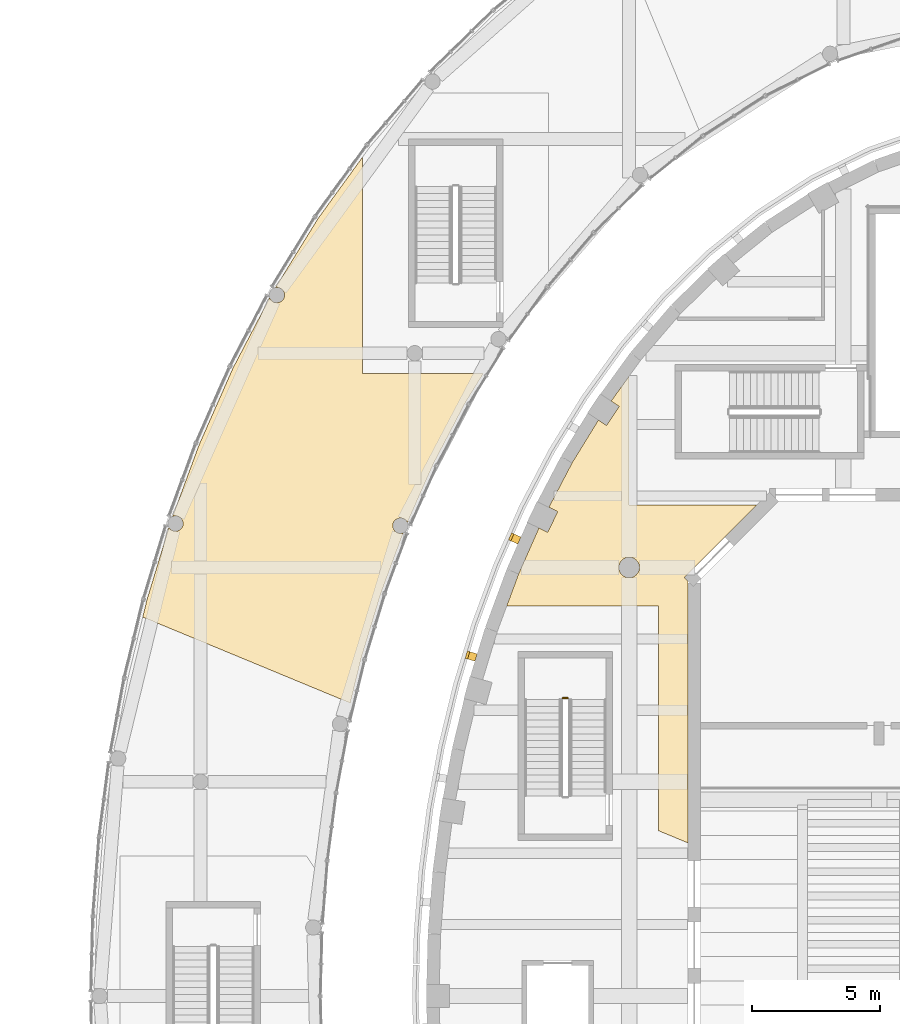
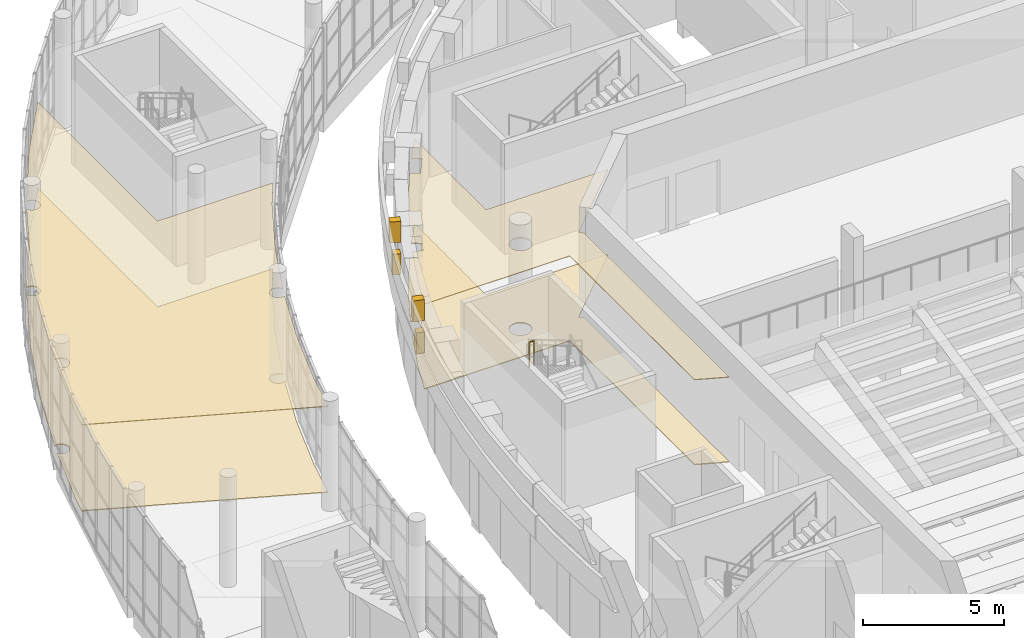
# One storey, part 107 of 119: 8 coverings, 1 railing.
"""IFC4 building model written with IfcOpenShell, lengths in metres."""

from ifc_helpers import new_model, si_unit, direction, frame, origin, origin_2d, place, context, subcontext, project, spatial, polyline, rectangle, circle, outline, extrude, material, layer, layer_set, type_object, element, save


model = new_model("IFC4")

# Units and contexts
model_context = context("Model", 3, precision=1e-05, world=origin(), true_north=direction((0.0, 1.0)))
body_context = subcontext(model_context, "Body", "Model", "MODEL_VIEW")
ifc_project = project(units=[si_unit("LENGTHUNIT", "METRE"), si_unit("AREAUNIT", "SQUARE_METRE"), si_unit("VOLUMEUNIT", "CUBIC_METRE"), si_unit("PLANEANGLEUNIT", "RADIAN"), si_unit("MASSUNIT", "GRAM", prefix="KILO")], contexts=[model_context])

# Site, building, storey
site_placement = place(None, origin())
site = spatial("IfcSite", under=ifc_project, at=site_placement, CompositionType="ELEMENT")
building_placement = place(site_placement, origin())
building = spatial("IfcBuilding", under=site, at=building_placement, Name="Larchfold Concert Hall", CompositionType="ELEMENT")
storey_placement = place(building_placement, frame((0.0, 0.0, 4.800048828125)))
storey = spatial("IfcBuildingStorey", under=building, at=storey_placement, Name="L01", CompositionType="ELEMENT", Elevation=4.800048828125)

# Coverings
ifc_material_1 = material(Name="Plasterboard ceiling lining")
ifc_layer_1 = layer(ifc_material_1, 0.030029296875)
ifc_layer_set_1 = layer_set([ifc_layer_1], Name="Plasterboard ceiling lining")
covering_type_1 = type_object("IfcCoveringType", Name="Ceiling suspended plasterboard 30", PredefinedType="CEILING", material=ifc_layer_set_1)
covering_1_placement = place(storey_placement, frame((0.0, 0.0, 3.669921875)))
element("IfcCovering", 1, at=covering_1_placement, inside=storey, type_object=covering_type_1, Name="Ceiling Hall Foyer North West", PredefinedType="CEILING", context=body_context, shape_type="SweptSolid", body=[
    extrude(outline(polyline([(26.949951171875, 99.900146484375), (26.949951171875, 91.08251953125), (28.10009765625, 90.60595703125), (28.10009765625, 100.878662109375), (27.962646484375, 101.01611328125), (30.79638671875, 103.849853515625), (25.800048828125, 103.849853515625), (25.800048828125, 108.898681640625), (25.09423828125, 107.924560546875), (25.412353515625, 107.712158203125), (24.912841796875, 106.963623046875), (24.59423828125, 107.17626953125), (23.564208984375, 105.502685546875), (22.653564453125, 103.759765625), (23.000244140625, 103.59326171875), (22.6103515625, 102.781982421875), (22.262939453125, 102.948974609375), (21.468017578125, 101.149169921875), (21.00634765625, 99.900146484375), (26.949951171875, 99.900146484375)]), holes=[polyline([(25.60009765625, 101.053466796875), (25.556640625, 101.08251953125), (25.51708984375, 101.116943359375), (25.482666015625, 101.156494140625), (25.45361328125, 101.199951171875), (25.430419921875, 101.246826171875), (25.41357421875, 101.29638671875), (25.403564453125, 101.34765625), (25.400146484375, 101.39990234375), (25.403564453125, 101.4521484375), (25.41357421875, 101.50341796875), (25.430419921875, 101.552978515625), (25.45361328125, 101.599853515625), (25.482666015625, 101.643310546875), (25.51708984375, 101.682861328125), (25.556640625, 101.71728515625), (25.60009765625, 101.746337890625), (25.64697265625, 101.76953125), (25.696533203125, 101.786376953125), (25.747802734375, 101.79638671875), (25.800048828125, 101.7998046875), (25.852294921875, 101.79638671875), (25.903564453125, 101.786376953125), (25.953125, 101.76953125), (26.0, 101.746337890625), (26.04345703125, 101.71728515625), (26.0830078125, 101.682861328125), (26.117431640625, 101.643310546875), (26.146484375, 101.599853515625), (26.169677734375, 101.552978515625), (26.1865234375, 101.50341796875), (26.196533203125, 101.4521484375), (26.199951171875, 101.39990234375), (26.196533203125, 101.34765625), (26.1865234375, 101.29638671875), (26.169677734375, 101.246826171875), (26.146484375, 101.199951171875), (26.117431640625, 101.156494140625), (26.0830078125, 101.116943359375), (26.04345703125, 101.08251953125), (26.0, 101.053466796875), (25.953125, 101.0302734375), (25.903564453125, 101.013427734375), (25.852294921875, 101.00341796875), (25.800048828125, 101.0), (25.747802734375, 101.00341796875), (25.696533203125, 101.013427734375), (25.64697265625, 101.0302734375), (25.60009765625, 101.053466796875)])]), origin(), (0.0, 0.0, 1.0), 0.030029296875),
])
covering_2_placement = place(storey_placement, frame((0.0, 0.0, 3.719970703125)))
element("IfcCovering", 2, at=covering_2_placement, inside=storey, type_object=covering_type_1, Name="Ceiling Winter Garden Foyer North West", PredefinedType="CEILING", context=body_context, shape_type="SweptSolid", body=[
    extrude(outline(polyline([(6.89794921875, 100.12255859375), (6.736083984375, 99.455322265625), (14.870849609375, 96.0859375), (15.294189453125, 97.830322265625), (16.077880859375, 100.411376953125), (16.94580078125, 102.75927734375), (16.875, 102.74072265625), (16.8359375, 102.738037109375), (16.75830078125, 102.748291015625), (16.68603515625, 102.7783203125), (16.623779296875, 102.825927734375), (16.576171875, 102.88818359375), (16.558837890625, 102.92333984375), (16.53857421875, 102.9990234375), (16.53857421875, 103.0771484375), (16.558837890625, 103.15283203125), (16.597900390625, 103.220703125), (16.6533203125, 103.276123046875), (16.72119140625, 103.315185546875), (16.75830078125, 103.327880859375), (16.8359375, 103.338134765625), (16.91357421875, 103.327880859375), (16.98583984375, 103.2978515625), (17.048095703125, 103.250244140625), (17.073974609375, 103.220703125), (17.109130859375, 103.160888671875), (18.117431640625, 105.444091796875), (19.3876953125, 107.874755859375), (20.08056640625, 109.0), (15.35888671875, 109.0), (15.3505859375, 109.006103515625), (15.349853515625, 117.48486328125), (13.600830078125, 115.070556640625), (11.939208984375, 112.370361328125), (12.031982421875, 112.373291015625), (12.107666015625, 112.35302734375), (12.175537109375, 112.31396484375), (12.23095703125, 112.258544921875), (12.252685546875, 112.225830078125), (12.28271484375, 112.153564453125), (12.29296875, 112.075927734375), (12.28271484375, 111.998291015625), (12.252685546875, 111.926025390625), (12.205078125, 111.86376953125), (12.142822265625, 111.816162109375), (12.070556640625, 111.7861328125), (12.031982421875, 111.778564453125), (11.953857421875, 111.778564453125), (11.878173828125, 111.798828125), (11.810302734375, 111.837890625), (11.7548828125, 111.893310546875), (11.71240234375, 111.97119140625), (10.275146484375, 109.220947265625), (8.949951171875, 106.221435546875), (7.9072265625, 103.399658203125), (7.97900390625, 103.41845703125), (8.01806640625, 103.421142578125), (8.095703125, 103.410888671875), (8.16796875, 103.380859375), (8.230224609375, 103.333251953125), (8.27783203125, 103.27099609375), (8.307861328125, 103.19873046875), (8.318115234375, 103.12109375), (8.307861328125, 103.04345703125), (8.295166015625, 103.00634765625), (8.256103515625, 102.9384765625), (8.20068359375, 102.883056640625), (8.1328125, 102.843994140625), (8.05712890625, 102.82373046875), (7.97900390625, 102.82373046875), (7.9033203125, 102.843994140625), (7.83544921875, 102.883056640625), (7.805908203125, 102.908935546875), (7.761474609375, 102.966064453125), (6.89794921875, 100.12255859375)])), origin(), (0.0, 0.0, 1.0), 0.030029296875),
])
ifc_material_2 = material(Name="Polished terrazzo")
ifc_layer_2 = layer(ifc_material_2, 0.0400390625)
ifc_layer_set_2 = layer_set([ifc_layer_2], Name="Polished terrazzo")
covering_type_2 = type_object("IfcCoveringType", Name="Floor finish terrazzo 40", PredefinedType="FLOORING", material=ifc_layer_set_2)
covering_3_placement = place(storey_placement, origin())
element("IfcCovering", 3, at=covering_3_placement, inside=storey, type_object=covering_type_2, Name="Floor finish Hall Foyer North West", PredefinedType="FLOORING", context=body_context, shape_type="SweptSolid", body=[
    extrude(outline(polyline([(26.949951171875, 99.900146484375), (26.949951171875, 91.08251953125), (28.10009765625, 90.60595703125), (28.10009765625, 100.878662109375), (27.962646484375, 101.01611328125), (30.79638671875, 103.849853515625), (25.800048828125, 103.849853515625), (25.800048828125, 108.898681640625), (25.09423828125, 107.924560546875), (25.412353515625, 107.712158203125), (24.912841796875, 106.963623046875), (24.59423828125, 107.17626953125), (23.564208984375, 105.502685546875), (22.653564453125, 103.759765625), (23.000244140625, 103.59326171875), (22.6103515625, 102.781982421875), (22.262939453125, 102.948974609375), (21.468017578125, 101.149169921875), (21.00634765625, 99.900146484375), (26.949951171875, 99.900146484375)]), holes=[polyline([(25.60009765625, 101.053466796875), (25.556640625, 101.08251953125), (25.51708984375, 101.116943359375), (25.482666015625, 101.156494140625), (25.45361328125, 101.199951171875), (25.430419921875, 101.246826171875), (25.41357421875, 101.29638671875), (25.403564453125, 101.34765625), (25.400146484375, 101.39990234375), (25.403564453125, 101.4521484375), (25.41357421875, 101.50341796875), (25.430419921875, 101.552978515625), (25.45361328125, 101.599853515625), (25.482666015625, 101.643310546875), (25.51708984375, 101.682861328125), (25.556640625, 101.71728515625), (25.60009765625, 101.746337890625), (25.64697265625, 101.76953125), (25.696533203125, 101.786376953125), (25.747802734375, 101.79638671875), (25.800048828125, 101.7998046875), (25.852294921875, 101.79638671875), (25.903564453125, 101.786376953125), (25.953125, 101.76953125), (26.0, 101.746337890625), (26.04345703125, 101.71728515625), (26.0830078125, 101.682861328125), (26.117431640625, 101.643310546875), (26.146484375, 101.599853515625), (26.169677734375, 101.552978515625), (26.1865234375, 101.50341796875), (26.196533203125, 101.4521484375), (26.199951171875, 101.39990234375), (26.196533203125, 101.34765625), (26.1865234375, 101.29638671875), (26.169677734375, 101.246826171875), (26.146484375, 101.199951171875), (26.117431640625, 101.156494140625), (26.0830078125, 101.116943359375), (26.04345703125, 101.08251953125), (26.0, 101.053466796875), (25.953125, 101.0302734375), (25.903564453125, 101.013427734375), (25.852294921875, 101.00341796875), (25.800048828125, 101.0), (25.747802734375, 101.00341796875), (25.696533203125, 101.013427734375), (25.64697265625, 101.0302734375), (25.60009765625, 101.053466796875)])]), origin(), (0.0, 0.0, 1.0), 0.0400390625),
])
covering_4_placement = place(storey_placement, origin())
element("IfcCovering", 4, at=covering_4_placement, inside=storey, type_object=covering_type_2, Name="Floor finish Winter Garden Foyer North West", PredefinedType="FLOORING", context=body_context, shape_type="SweptSolid", body=[
    extrude(outline(polyline([(6.89794921875, 100.12255859375), (6.736083984375, 99.455322265625), (14.870849609375, 96.0859375), (15.294189453125, 97.830322265625), (16.077880859375, 100.411376953125), (16.94580078125, 102.75927734375), (16.875, 102.74072265625), (16.8359375, 102.738037109375), (16.75830078125, 102.748291015625), (16.68603515625, 102.7783203125), (16.623779296875, 102.825927734375), (16.576171875, 102.88818359375), (16.558837890625, 102.92333984375), (16.53857421875, 102.9990234375), (16.53857421875, 103.0771484375), (16.558837890625, 103.15283203125), (16.597900390625, 103.220703125), (16.6533203125, 103.276123046875), (16.72119140625, 103.315185546875), (16.75830078125, 103.327880859375), (16.8359375, 103.338134765625), (16.91357421875, 103.327880859375), (16.98583984375, 103.2978515625), (17.048095703125, 103.250244140625), (17.073974609375, 103.220703125), (17.109130859375, 103.160888671875), (18.117431640625, 105.444091796875), (19.3876953125, 107.874755859375), (20.08056640625, 109.0), (15.35888671875, 109.0), (15.3505859375, 109.006103515625), (15.349853515625, 117.48486328125), (13.600830078125, 115.070556640625), (11.939208984375, 112.370361328125), (12.031982421875, 112.373291015625), (12.107666015625, 112.35302734375), (12.175537109375, 112.31396484375), (12.23095703125, 112.258544921875), (12.252685546875, 112.225830078125), (12.28271484375, 112.153564453125), (12.29296875, 112.075927734375), (12.28271484375, 111.998291015625), (12.252685546875, 111.926025390625), (12.205078125, 111.86376953125), (12.142822265625, 111.816162109375), (12.070556640625, 111.7861328125), (12.031982421875, 111.778564453125), (11.953857421875, 111.778564453125), (11.878173828125, 111.798828125), (11.810302734375, 111.837890625), (11.7548828125, 111.893310546875), (11.71240234375, 111.97119140625), (10.275146484375, 109.220947265625), (8.949951171875, 106.221435546875), (7.9072265625, 103.399658203125), (7.97900390625, 103.41845703125), (8.01806640625, 103.421142578125), (8.095703125, 103.410888671875), (8.16796875, 103.380859375), (8.230224609375, 103.333251953125), (8.27783203125, 103.27099609375), (8.307861328125, 103.19873046875), (8.318115234375, 103.12109375), (8.307861328125, 103.04345703125), (8.295166015625, 103.00634765625), (8.256103515625, 102.9384765625), (8.20068359375, 102.883056640625), (8.1328125, 102.843994140625), (8.05712890625, 102.82373046875), (7.97900390625, 102.82373046875), (7.9033203125, 102.843994140625), (7.83544921875, 102.883056640625), (7.805908203125, 102.908935546875), (7.761474609375, 102.966064453125), (6.89794921875, 100.12255859375)])), origin(), (0.0, 0.0, 1.0), 0.0400390625),
])
ifc_material_3 = material(Name="Galvanised steel bracket", Category="steel")
ifc_layer_3 = layer(ifc_material_3, 0.300048828125)
ifc_layer_set_3 = layer_set([ifc_layer_3], Name="Galvanised steel bracket")
covering_type_3 = type_object("IfcCoveringType", Name="Ring support bracket", PredefinedType="CLADDING", material=ifc_layer_set_3)
for number, where, z_axis, x_axis, name in (
    (5, (21.362060546875, 102.51806640625, 3.35009765625), (0.0, 0.0, 1.0), (-0.91470116954, 0.404130882813, 0.0), "Ring bracket BR-R01-16"),
    (6, (19.65625, 97.912353515625, 3.35009765625), (0.0, 0.0, 1.0), (-0.956854836506, 0.29056638115, 0.0), "Ring bracket BR-R01-17"),
):
    element("IfcCovering", number, at=place(storey_placement, frame(where, z_axis=z_axis, x_axis=x_axis)), inside=storey, type_object=covering_type_3, Name=name, PredefinedType="CLADDING", context=body_context, shape_type="SweptSolid", body=[
        extrude(rectangle(XDim=0.300048828125, YDim=0.300048828125, at=origin_2d()), origin(), (0.0, 0.0, 1.0), 0.89990234375),
    ])
for number, where, z_axis, x_axis, name in (
    (7, (21.316162109375, 102.538330078125, 4.75), (0.0, 0.0, 1.0), (-0.91470116954, 0.404130882813, 0.0), "Ring bracket BR-R02-16"),
    (8, (19.6083984375, 97.9267578125, 4.75), (0.0, 0.0, 1.0), (-0.956854836506, 0.29056638115, 0.0), "Ring bracket BR-R02-17"),
):
    element("IfcCovering", number, at=place(storey_placement, frame(where, z_axis=z_axis, x_axis=x_axis)), inside=storey, type_object=covering_type_3, Name=name, PredefinedType="CLADDING", context=body_context, shape_type="SweptSolid", body=[
        extrude(rectangle(XDim=0.39990234375, YDim=0.300048828125, at=origin_2d()), origin(), (0.0, 0.0, 1.0), 0.89990234375),
    ])

# Railing
ifc_material_4 = material(Name="Stainless steel balustrade", Category="steel")
railing_type = type_object("IfcRailingType", Name="Stair guard 1100", PredefinedType="GUARDRAIL", material=ifc_material_4)
railing_placement = place(storey_placement, frame((23.39990234375, 96.280029296875, 2.39990234375)))
element("IfcRailing", 9, at=railing_placement, inside=storey, type_object=railing_type, Name="Guard GR0016", PredefinedType="GUARDRAIL", context=body_context, shape_type="SweptSolid", body=[
    extrude(circle(Radius=0.02392578125, at=origin_2d()), frame((0.0, 0.0, 1.076171875), z_axis=(-1.0, 0.0, 0.0), x_axis=(0.0, -1.0, 0.0)), (0.0, 0.0, 1.0), 0.199951171875),
    extrude(circle(Radius=0.02099609375, at=origin_2d()), origin(), (0.0, 0.0, 1.0), 1.052001953125),
    extrude(circle(Radius=0.02099609375, at=origin_2d()), frame((-0.199951171875, 0.0, 0.0)), (0.0, 0.0, 1.0), 1.052001953125),
])

save(model, "model.ifc")
